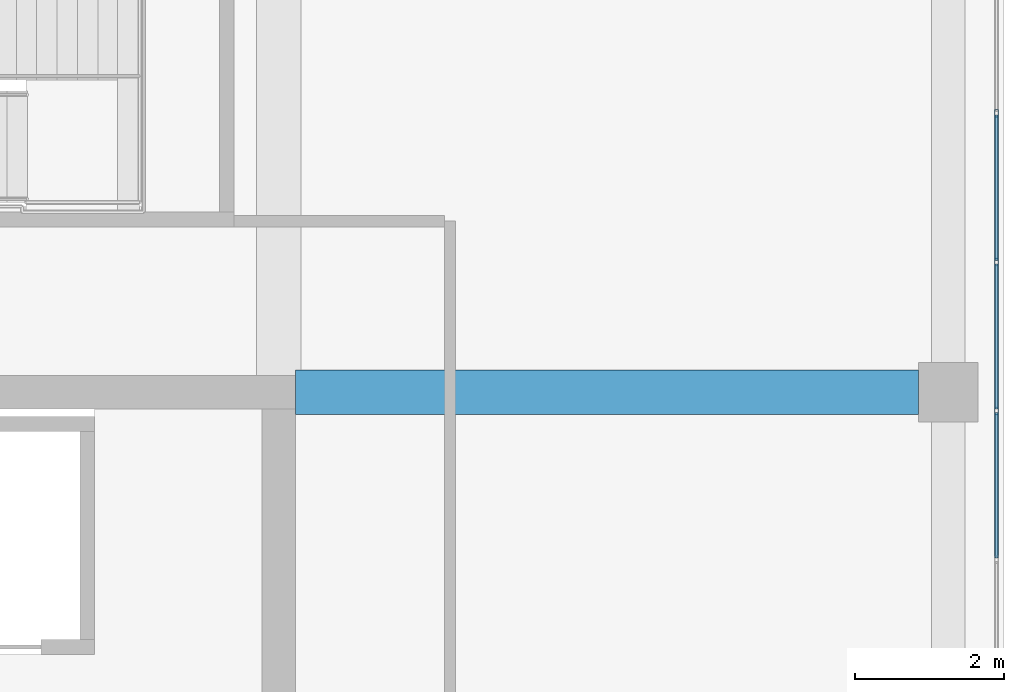
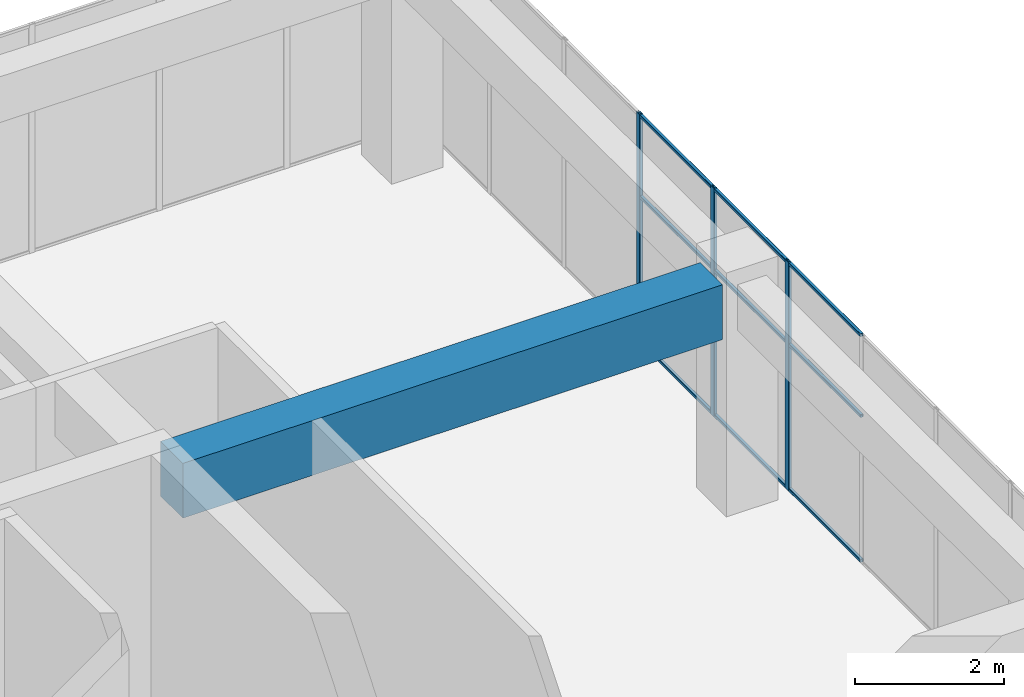
# One storey, part 44 of 65: 12 members, 1 beam, 1 element without a shape of its own.
"""IFC4 building model written with IfcOpenShell, lengths in metres."""

from ifc_helpers import new_model, si_unit, direction, frame, origin, origin_2d, place, context, subcontext, project, spatial, rectangle, hollow_rectangle, extrude, material, layer, layer_set, material_profile, profile_set, type_object, element, aggregate, save


model = new_model("IFC4")

# Units and contexts
model_context = context("Model", 3, precision=1e-05, world=origin(), true_north=direction((0.0, 1.0)))
body_context = subcontext(model_context, "Body", "Model", "MODEL_VIEW")
ifc_project = project(units=[si_unit("LENGTHUNIT", "METRE"), si_unit("AREAUNIT", "SQUARE_METRE"), si_unit("VOLUMEUNIT", "CUBIC_METRE"), si_unit("PLANEANGLEUNIT", "RADIAN"), si_unit("MASSUNIT", "GRAM", prefix="KILO")], contexts=[model_context])

# Site, building, storey
site_placement = place(None, origin())
site = spatial("IfcSite", under=ifc_project, at=site_placement, CompositionType="ELEMENT")
building_placement = place(site_placement, origin())
building = spatial("IfcBuilding", under=site, at=building_placement, Name="Tuart Plaza Theatre", CompositionType="ELEMENT")
storey_placement = place(building_placement, frame((0.0, 0.0, 9.5)))
storey = spatial("IfcBuildingStorey", under=building, at=storey_placement, Name="L02", CompositionType="ELEMENT", Elevation=9.5)

# Beam
ifc_material_1 = material(Name="Concrete N40 (40 MPa)", Category="concrete")
ifc_material_profile_1 = material_profile(ifc_material_1, rectangle(XDim=0.60009765625, YDim=0.89990234375, at=origin_2d()), Name="BEAM 600x900 Concrete N40 (40 MPa)")
ifc_profile_set_1 = profile_set([ifc_material_profile_1], Name="Concrete N40 (40 MPa)")
beam_type = type_object("IfcBeamType", Name="BEAM 600x900 Concrete N40 (40 MPa)", PredefinedType="BEAM", material=ifc_profile_set_1)
beam_placement = place(storey_placement, frame((141.22509765625, 83.0, 3.300048828125), z_axis=(1.0, 0.0, 0.0), x_axis=(0.0, 1.0, 0.0)))
element("IfcBeam", 1, at=beam_placement, inside=storey, type_object=beam_type, Name="RB196", PredefinedType="BEAM", context=body_context, shape_type="SweptSolid", body=[
    extrude(rectangle(XDim=0.60009765625, YDim=0.89990234375, at=origin_2d()), origin(), (0.0, 0.0, 1.0), 8.375),
])

# Curtain wall, members
ifc_material_2 = material(Name="Aluminium and glass", Category="aluminium")
ifc_layer = layer(ifc_material_2, 0.10009765625)
ifc_layer_set = layer_set([ifc_layer], Name="CURTAIN WALL 2000 module")
curtain_wall_type = type_object("IfcCurtainWallType", Name="CURTAIN WALL 2000 module", PredefinedType="NOTDEFINED", material=ifc_layer_set)
curtain_wall_placement = place(storey_placement, origin())
curtain_wall = element("IfcCurtainWall", 2, at=curtain_wall_placement, inside=storey, type_object=curtain_wall_type, Name="CW69", PredefinedType="NOTDEFINED")
ifc_material_3 = material(Name="Aluminium 6063-T5", Category="aluminium")
ifc_material_profile_2 = material_profile(ifc_material_3, hollow_rectangle(XDim=0.050048828125, YDim=0.10009765625, WallThickness=0.00390625, InnerFilletRadius=0.00390625, OuterFilletRadius=0.008056640625, at=origin_2d()), Name="RHS 100x50x4")
ifc_profile_set_2 = profile_set([ifc_material_profile_2], Name="Aluminium 6063-T5")
member_type_1 = type_object("IfcMemberType", Name="MULLION RHS 100x50x4", PredefinedType="MULLION", material=ifc_profile_set_2)
member_1_placement = place(storey_placement, frame((150.64990234375, 82.75, 0.0), z_axis=(0.0, 0.0, 1.0), x_axis=(-1.0, 0.0, 0.0)))
member_1 = element("IfcMember", 3, at=member_1_placement, type_object=member_type_1, Name="CW69 mullion 17", PredefinedType="MULLION", context=body_context, shape_type="SweptSolid", body=[
    extrude(hollow_rectangle(XDim=0.050048828125, YDim=0.10009765625, WallThickness=0.00390625, InnerFilletRadius=0.00390625, OuterFilletRadius=0.008056640625, at=origin_2d()), origin(), (0.0, 0.0, 1.0), 3.75),
])
member_2_placement = place(storey_placement, frame((150.64990234375, 84.75, 0.0), z_axis=(0.0, 0.0, 1.0), x_axis=(-1.0, 0.0, 0.0)))
member_2 = element("IfcMember", 4, at=member_2_placement, type_object=member_type_1, Name="CW69 mullion 18", PredefinedType="MULLION", context=body_context, shape_type="SweptSolid", body=[
    extrude(hollow_rectangle(XDim=0.050048828125, YDim=0.10009765625, WallThickness=0.00390625, InnerFilletRadius=0.00390625, OuterFilletRadius=0.008056640625, at=origin_2d()), origin(), (0.0, 0.0, 1.0), 3.75),
])
member_3_placement = place(storey_placement, frame((150.64990234375, 86.75, 0.0), z_axis=(0.0, 0.0, 1.0), x_axis=(-1.0, 0.0, 0.0)))
member_3 = element("IfcMember", 5, at=member_3_placement, type_object=member_type_1, Name="CW69 mullion 19", PredefinedType="MULLION", context=body_context, shape_type="SweptSolid", body=[
    extrude(hollow_rectangle(XDim=0.050048828125, YDim=0.10009765625, WallThickness=0.00390625, InnerFilletRadius=0.00390625, OuterFilletRadius=0.008056640625, at=origin_2d()), origin(), (0.0, 0.0, 1.0), 3.75),
])
ifc_material_4 = material(Name="Aluminium 6063-T5", Category="aluminium")
ifc_material_profile_3 = material_profile(ifc_material_4, hollow_rectangle(XDim=0.050048828125, YDim=0.050048828125, WallThickness=0.00390625, InnerFilletRadius=0.00390625, OuterFilletRadius=0.008056640625, at=origin_2d()), Name="RHS 50x50x4")
ifc_profile_set_3 = profile_set([ifc_material_profile_3], Name="Aluminium 6063-T5")
member_type_2 = type_object("IfcMemberType", Name="TRANSOM RHS 50x50x4", PredefinedType="USERDEFINED", material=ifc_profile_set_3)
member_4_placement = place(storey_placement, frame((150.64990234375, 80.77490234375, 0.02490234375), z_axis=(0.0, 1.0, 0.0), x_axis=(-1.0, 0.0, 0.0)))
member_4 = element("IfcMember", 6, at=member_4_placement, type_object=member_type_2, Name="CW69 transom 16.1", ObjectType="TRANSOM", PredefinedType="USERDEFINED", context=body_context, shape_type="SweptSolid", body=[
    extrude(hollow_rectangle(XDim=0.050048828125, YDim=0.050048828125, WallThickness=0.00390625, InnerFilletRadius=0.00390625, OuterFilletRadius=0.008056640625, at=origin_2d()), origin(), (0.0, 0.0, 1.0), 1.9501953125),
])
member_5_placement = place(storey_placement, frame((150.64990234375, 80.77490234375, 2.39990234375), z_axis=(0.0, 1.0, 0.0), x_axis=(-1.0, 0.0, 0.0)))
member_5 = element("IfcMember", 7, at=member_5_placement, type_object=member_type_2, Name="CW69 transom 16.2", ObjectType="TRANSOM", PredefinedType="USERDEFINED", context=body_context, shape_type="SweptSolid", body=[
    extrude(hollow_rectangle(XDim=0.050048828125, YDim=0.050048828125, WallThickness=0.00390625, InnerFilletRadius=0.00390625, OuterFilletRadius=0.008056640625, at=origin_2d()), origin(), (0.0, 0.0, 1.0), 1.9501953125),
])
member_6_placement = place(storey_placement, frame((150.64990234375, 80.77490234375, 3.72509765625), z_axis=(0.0, 1.0, 0.0), x_axis=(-1.0, 0.0, 0.0)))
member_6 = element("IfcMember", 8, at=member_6_placement, type_object=member_type_2, Name="CW69 transom 16.3", ObjectType="TRANSOM", PredefinedType="USERDEFINED", context=body_context, shape_type="SweptSolid", body=[
    extrude(hollow_rectangle(XDim=0.050048828125, YDim=0.050048828125, WallThickness=0.00390625, InnerFilletRadius=0.00390625, OuterFilletRadius=0.008056640625, at=origin_2d()), origin(), (0.0, 0.0, 1.0), 1.9501953125),
])
member_7_placement = place(storey_placement, frame((150.64990234375, 82.77490234375, 0.02490234375), z_axis=(0.0, 1.0, 0.0), x_axis=(-1.0, 0.0, 0.0)))
member_7 = element("IfcMember", 9, at=member_7_placement, type_object=member_type_2, Name="CW69 transom 17.1", ObjectType="TRANSOM", PredefinedType="USERDEFINED", context=body_context, shape_type="SweptSolid", body=[
    extrude(hollow_rectangle(XDim=0.050048828125, YDim=0.050048828125, WallThickness=0.00390625, InnerFilletRadius=0.00390625, OuterFilletRadius=0.008056640625, at=origin_2d()), origin(), (0.0, 0.0, 1.0), 1.9501953125),
])
member_8_placement = place(storey_placement, frame((150.64990234375, 82.77490234375, 2.39990234375), z_axis=(0.0, 1.0, 0.0), x_axis=(-1.0, 0.0, 0.0)))
member_8 = element("IfcMember", 10, at=member_8_placement, type_object=member_type_2, Name="CW69 transom 17.2", ObjectType="TRANSOM", PredefinedType="USERDEFINED", context=body_context, shape_type="SweptSolid", body=[
    extrude(hollow_rectangle(XDim=0.050048828125, YDim=0.050048828125, WallThickness=0.00390625, InnerFilletRadius=0.00390625, OuterFilletRadius=0.008056640625, at=origin_2d()), origin(), (0.0, 0.0, 1.0), 1.9501953125),
])
member_9_placement = place(storey_placement, frame((150.64990234375, 82.77490234375, 3.72509765625), z_axis=(0.0, 1.0, 0.0), x_axis=(-1.0, 0.0, 0.0)))
member_9 = element("IfcMember", 11, at=member_9_placement, type_object=member_type_2, Name="CW69 transom 17.3", ObjectType="TRANSOM", PredefinedType="USERDEFINED", context=body_context, shape_type="SweptSolid", body=[
    extrude(hollow_rectangle(XDim=0.050048828125, YDim=0.050048828125, WallThickness=0.00390625, InnerFilletRadius=0.00390625, OuterFilletRadius=0.008056640625, at=origin_2d()), origin(), (0.0, 0.0, 1.0), 1.9501953125),
])
member_10_placement = place(storey_placement, frame((150.64990234375, 84.77490234375, 0.02490234375), z_axis=(0.0, 1.0, 0.0), x_axis=(-1.0, 0.0, 0.0)))
member_10 = element("IfcMember", 12, at=member_10_placement, type_object=member_type_2, Name="CW69 transom 18.1", ObjectType="TRANSOM", PredefinedType="USERDEFINED", context=body_context, shape_type="SweptSolid", body=[
    extrude(hollow_rectangle(XDim=0.050048828125, YDim=0.050048828125, WallThickness=0.00390625, InnerFilletRadius=0.00390625, OuterFilletRadius=0.008056640625, at=origin_2d()), origin(), (0.0, 0.0, 1.0), 1.9501953125),
])
member_11_placement = place(storey_placement, frame((150.64990234375, 84.77490234375, 2.39990234375), z_axis=(0.0, 1.0, 0.0), x_axis=(-1.0, 0.0, 0.0)))
member_11 = element("IfcMember", 13, at=member_11_placement, type_object=member_type_2, Name="CW69 transom 18.2", ObjectType="TRANSOM", PredefinedType="USERDEFINED", context=body_context, shape_type="SweptSolid", body=[
    extrude(hollow_rectangle(XDim=0.050048828125, YDim=0.050048828125, WallThickness=0.00390625, InnerFilletRadius=0.00390625, OuterFilletRadius=0.008056640625, at=origin_2d()), origin(), (0.0, 0.0, 1.0), 1.9501953125),
])
member_12_placement = place(storey_placement, frame((150.64990234375, 84.77490234375, 3.72509765625), z_axis=(0.0, 1.0, 0.0), x_axis=(-1.0, 0.0, 0.0)))
member_12 = element("IfcMember", 14, at=member_12_placement, type_object=member_type_2, Name="CW69 transom 18.3", ObjectType="TRANSOM", PredefinedType="USERDEFINED", context=body_context, shape_type="SweptSolid", body=[
    extrude(hollow_rectangle(XDim=0.050048828125, YDim=0.050048828125, WallThickness=0.00390625, InnerFilletRadius=0.00390625, OuterFilletRadius=0.008056640625, at=origin_2d()), origin(), (0.0, 0.0, 1.0), 1.9501953125),
])
aggregate(curtain_wall, [member_1, member_2, member_3, member_4, member_5, member_6, member_7, member_8, member_9, member_10, member_11, member_12])

save(model, "model.ifc")
